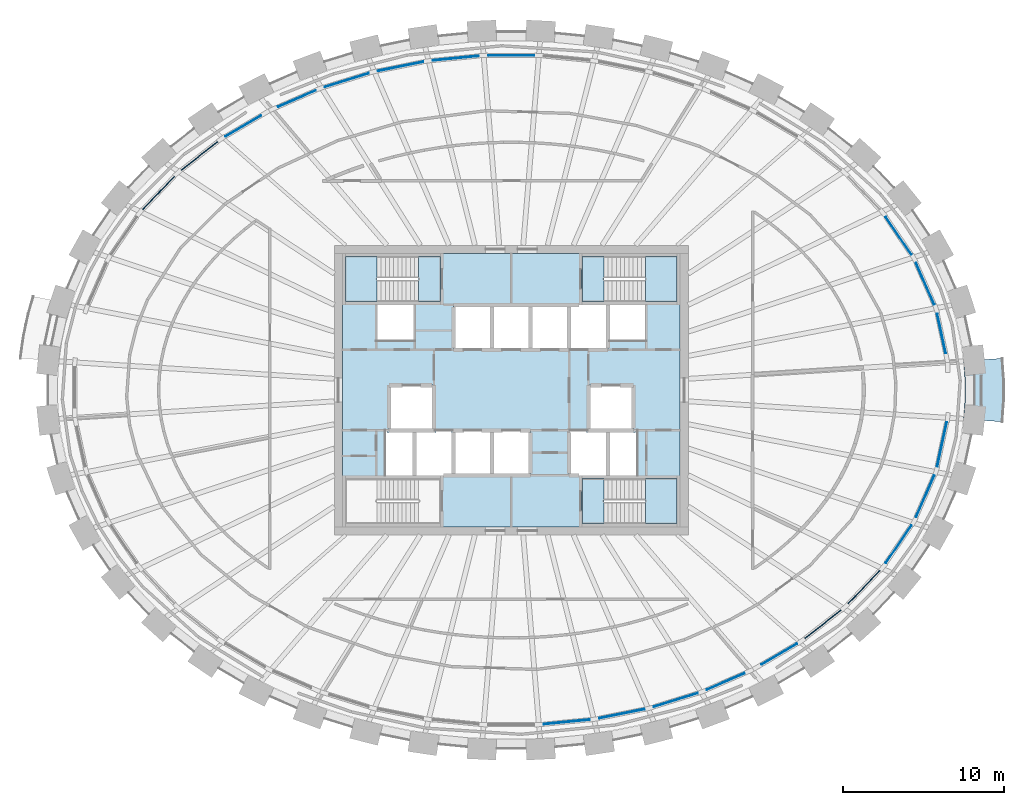
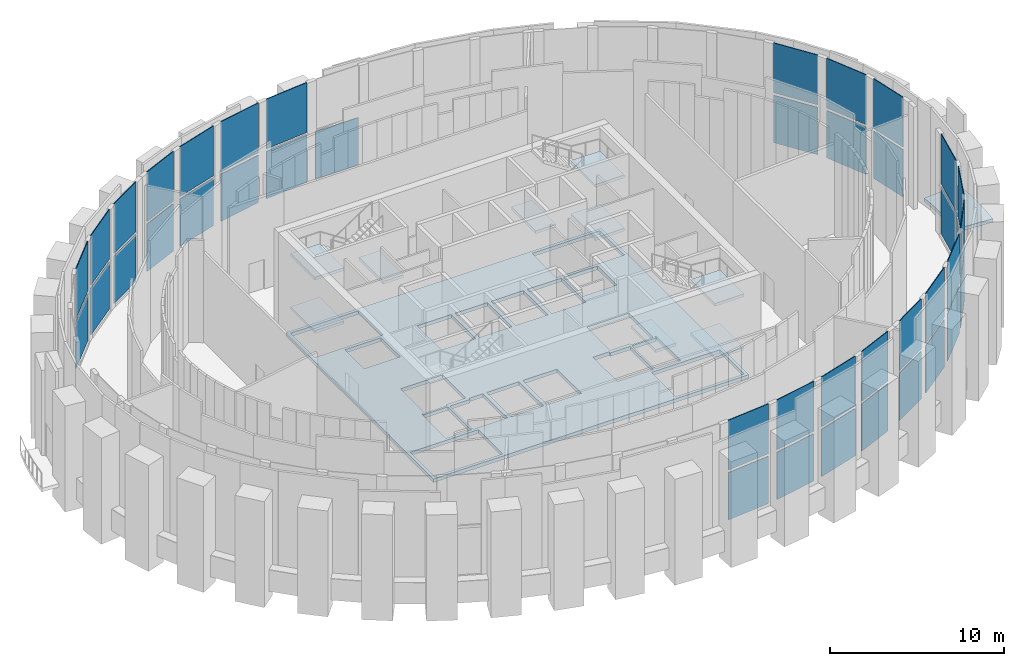
# One storey, part 6 of 16: 41 plates, 11 slabs, 8 elements without a shape of their own.
"""IFC4 building model written with IfcOpenShell, lengths in metres."""

from ifc_helpers import new_model, si_unit, direction, frame, origin, origin_2d, place, context, subcontext, project, spatial, polyline, rectangle, outline, extrude, source, transform, mapped, material, layer, layer_set, type_object, element, aggregate, save


model = new_model("IFC4")

# Units and contexts
model_context = context("Model", 3, precision=1e-05, world=origin(), true_north=direction((0.0, 1.0)))
body_context = subcontext(model_context, "Body", "Model", "MODEL_VIEW")
ifc_project = project(units=[si_unit("LENGTHUNIT", "METRE"), si_unit("AREAUNIT", "SQUARE_METRE"), si_unit("VOLUMEUNIT", "CUBIC_METRE"), si_unit("PLANEANGLEUNIT", "RADIAN"), si_unit("MASSUNIT", "GRAM", prefix="KILO")], contexts=[model_context])

# Site, building, storey
site_placement = place(None, origin())
site = spatial("IfcSite", under=ifc_project, at=site_placement, CompositionType="ELEMENT")
building_placement = place(site_placement, origin())
building = spatial("IfcBuilding", under=site, at=building_placement, Name="Embergate Tower", CompositionType="ELEMENT")
storey_placement = place(building_placement, frame((0.0, 0.0, 332.5)))
storey = spatial("IfcBuildingStorey", under=building, at=storey_placement, Name="L78", CompositionType="ELEMENT", Elevation=332.5)

# Curtain wall, plates
ifc_material_1 = material(Name="Aluminium and glass", Category="aluminium")
curtain_wall_type = type_object("IfcCurtainWallType", Name="Observation glazing", PredefinedType="NOTDEFINED", material=ifc_material_1)
curtain_wall_1_placement = place(storey_placement, origin())
curtain_wall_1 = element("IfcCurtainWall", 1, at=curtain_wall_1_placement, inside=storey, type_object=curtain_wall_type, Name="Observation glazing run 1", ObjectType="OBSERVATION GLAZING", PredefinedType="USERDEFINED")
ifc_material_2 = material(Name="Triple glazing, low-emissivity coating", Category="glass")
ifc_layer_1 = layer(ifc_material_2, 0.050048828125)
ifc_layer_set_1 = layer_set([ifc_layer_1], Name="Triple glazing, low-emissivity coating")
plate_type = type_object("IfcPlateType", Name="Observation glazing unit", PredefinedType="CURTAIN_PANEL", material=ifc_layer_set_1)
shared_shape_1 = source(origin(), body_context, "Body", "SweptSolid", [
    extrude(rectangle(XDim=2.511474609375, YDim=0.050048828125, at=origin_2d()), origin(), (0.0, 0.0, 1.0), 3.330078125),
])
plate_1_placement = place(storey_placement, frame((26.734130859375, 3.5185546875, 0.179931640625), z_axis=(0.0, 0.0, 1.0), x_axis=(-0.210406922475, 0.97761389463, 0.0)))
plate_1 = element("IfcPlate", 2, at=plate_1_placement, type_object=plate_type, Name="CW panel 1.1", PredefinedType="CURTAIN_PANEL", context=body_context, shape_type="MappedRepresentation", body=[
    mapped(shared_shape_1, transform((0.0, 0.0, 0.0))),
])
shared_shape_2 = source(origin(), body_context, "Body", "SweptSolid", [
    extrude(rectangle(XDim=2.511474609375, YDim=0.050048828125, at=origin_2d()), origin(), (0.0, 0.0, 1.0), 3.510009765625),
])
plate_2_placement = place(storey_placement, frame((26.734130859375, 3.5185546875, 3.68994140625), z_axis=(0.0, 0.0, 1.0), x_axis=(-0.210406922475, 0.97761389463, 0.0)))
plate_2 = element("IfcPlate", 3, at=plate_2_placement, type_object=plate_type, Name="CW panel 1.2", PredefinedType="CURTAIN_PANEL", context=body_context, shape_type="MappedRepresentation", body=[
    mapped(shared_shape_2, transform((0.0, 0.0, 0.0))),
])
shared_shape_3 = source(origin(), body_context, "Body", "SweptSolid", [
    extrude(rectangle(XDim=2.818603515625, YDim=0.050048828125, at=origin_2d()), origin(), (0.0, 0.0, 1.0), 3.330078125),
])
plate_3_placement = place(storey_placement, frame((25.72021484375, 6.604736328125, 0.179931640625), z_axis=(0.0, 0.0, 1.0), x_axis=(-0.401664887991, 0.91578672067, 0.0)))
plate_3 = element("IfcPlate", 4, at=plate_3_placement, type_object=plate_type, Name="CW panel 2.1", PredefinedType="CURTAIN_PANEL", context=body_context, shape_type="MappedRepresentation", body=[
    mapped(shared_shape_3, transform((0.0, 0.0, 0.0))),
])

# Curtain wall, plate
curtain_wall_2_placement = place(storey_placement, origin())
curtain_wall_2 = element("IfcCurtainWall", 5, at=curtain_wall_2_placement, inside=storey, type_object=curtain_wall_type, Name="Observation glazing run 6", ObjectType="OBSERVATION GLAZING", PredefinedType="USERDEFINED")
plate_4_placement = place(storey_placement, frame((25.72021484375, -6.604736328125, 0.179931640625), z_axis=(0.0, 0.0, 1.0), x_axis=(0.401664887991, 0.91578672067, 0.0)))
plate_4 = element("IfcPlate", 6, at=plate_4_placement, type_object=plate_type, Name="CW panel 5.1", PredefinedType="CURTAIN_PANEL", context=body_context, shape_type="MappedRepresentation", body=[
    mapped(shared_shape_3, transform((0.0, 0.0, 0.0))),
])

# Plate
shared_shape_4 = source(origin(), body_context, "Body", "SweptSolid", [
    extrude(rectangle(XDim=2.818603515625, YDim=0.050048828125, at=origin_2d()), origin(), (0.0, 0.0, 1.0), 3.510009765625),
])
plate_5_placement = place(storey_placement, frame((25.72021484375, 6.604736328125, 3.68994140625), z_axis=(0.0, 0.0, 1.0), x_axis=(-0.401664887991, 0.91578672067, 0.0)))
plate_5 = element("IfcPlate", 7, at=plate_5_placement, type_object=plate_type, Name="CW panel 2.2", PredefinedType="CURTAIN_PANEL", context=body_context, shape_type="MappedRepresentation", body=[
    mapped(shared_shape_4, transform((0.0, 0.0, 0.0))),
])

plate_6_placement = place(storey_placement, frame((25.72021484375, -6.604736328125, 3.68994140625), z_axis=(0.0, 0.0, 1.0), x_axis=(0.401664887991, 0.91578672067, 0.0)))
plate_6 = element("IfcPlate", 8, at=plate_6_placement, type_object=plate_type, Name="CW panel 5.2", PredefinedType="CURTAIN_PANEL", context=body_context, shape_type="MappedRepresentation", body=[
    mapped(shared_shape_4, transform((0.0, 0.0, 0.0))),
])

shared_shape_5 = source(origin(), body_context, "Body", "SweptSolid", [
    extrude(rectangle(XDim=2.827880859375, YDim=0.050048828125, at=origin_2d()), origin(), (0.0, 0.0, 1.0), 3.330078125),
])
plate_7_placement = place(storey_placement, frame((24.06982421875, 9.58740234375, 0.179931640625), z_axis=(0.0, 0.0, 1.0), x_axis=(-0.562353287631, 0.826897079382, 0.0)))
plate_7 = element("IfcPlate", 9, at=plate_7_placement, type_object=plate_type, Name="CW panel 3.1", PredefinedType="CURTAIN_PANEL", context=body_context, shape_type="MappedRepresentation", body=[
    mapped(shared_shape_5, transform((0.0, 0.0, 0.0))),
])

plate_8_placement = place(storey_placement, frame((24.06982421875, -9.58740234375, 0.179931640625), z_axis=(0.0, 0.0, 1.0), x_axis=(0.562353287631, 0.826897079382, 0.0)))
plate_8 = element("IfcPlate", 10, at=plate_8_placement, type_object=plate_type, Name="CW panel 4.1", PredefinedType="CURTAIN_PANEL", context=body_context, shape_type="MappedRepresentation", body=[
    mapped(shared_shape_5, transform((0.0, 0.0, 0.0))),
])

shared_shape_6 = source(origin(), body_context, "Body", "SweptSolid", [
    extrude(rectangle(XDim=2.827880859375, YDim=0.050048828125, at=origin_2d()), origin(), (0.0, 0.0, 1.0), 3.510009765625),
])
plate_9_placement = place(storey_placement, frame((24.06982421875, 9.58740234375, 3.68994140625), z_axis=(0.0, 0.0, 1.0), x_axis=(-0.562353287631, 0.826897079382, 0.0)))
plate_9 = element("IfcPlate", 11, at=plate_9_placement, type_object=plate_type, Name="CW panel 3.2", PredefinedType="CURTAIN_PANEL", context=body_context, shape_type="MappedRepresentation", body=[
    mapped(shared_shape_6, transform((0.0, 0.0, 0.0))),
])

aggregate(curtain_wall_1, [plate_1, plate_2, plate_3, plate_5, plate_7, plate_9])

plate_10_placement = place(storey_placement, frame((24.06982421875, -9.58740234375, 3.68994140625), z_axis=(0.0, 0.0, 1.0), x_axis=(0.562353287631, 0.826897079382, 0.0)))
plate_10 = element("IfcPlate", 12, at=plate_10_placement, type_object=plate_type, Name="CW panel 4.2", PredefinedType="CURTAIN_PANEL", context=body_context, shape_type="MappedRepresentation", body=[
    mapped(shared_shape_6, transform((0.0, 0.0, 0.0))),
])

# Curtain wall, plate
curtain_wall_3_placement = place(storey_placement, origin())
curtain_wall_3 = element("IfcCurtainWall", 13, at=curtain_wall_3_placement, inside=storey, type_object=curtain_wall_type, Name="Observation glazing run 3", ObjectType="OBSERVATION GLAZING", PredefinedType="USERDEFINED")
shared_shape_7 = source(origin(), body_context, "Body", "SweptSolid", [
    extrude(rectangle(XDim=2.837158203125, YDim=0.050048828125, at=origin_2d()), origin(), (0.0, 0.0, 1.0), 3.330078125),
])
plate_11_placement = place(storey_placement, frame((-21.919921875, 12.248291015625, 0.179931640625), z_axis=(0.0, 0.0, 1.0), x_axis=(-0.690142625854, -0.723673376586, 0.0)))
plate_11 = element("IfcPlate", 14, at=plate_11_placement, type_object=plate_type, Name="CW panel 3.1", PredefinedType="CURTAIN_PANEL", context=body_context, shape_type="MappedRepresentation", body=[
    mapped(shared_shape_7, transform((0.0, 0.0, 0.0))),
])

# Plate
plate_12_placement = place(storey_placement, frame((21.919921875, -12.248291015625, 0.179931640625), z_axis=(0.0, 0.0, 1.0), x_axis=(0.690142625854, 0.723673376586, 0.0)))
plate_12 = element("IfcPlate", 15, at=plate_12_placement, type_object=plate_type, Name="CW panel 3.1", PredefinedType="CURTAIN_PANEL", context=body_context, shape_type="MappedRepresentation", body=[
    mapped(shared_shape_7, transform((0.0, 0.0, 0.0))),
])

shared_shape_8 = source(origin(), body_context, "Body", "SweptSolid", [
    extrude(rectangle(XDim=2.837158203125, YDim=0.050048828125, at=origin_2d()), origin(), (0.0, 0.0, 1.0), 3.510009765625),
])
plate_13_placement = place(storey_placement, frame((-21.919921875, 12.248291015625, 3.68994140625), z_axis=(0.0, 0.0, 1.0), x_axis=(-0.690142625854, -0.723673376586, 0.0)))
plate_13 = element("IfcPlate", 16, at=plate_13_placement, type_object=plate_type, Name="CW panel 3.2", PredefinedType="CURTAIN_PANEL", context=body_context, shape_type="MappedRepresentation", body=[
    mapped(shared_shape_8, transform((0.0, 0.0, 0.0))),
])

plate_14_placement = place(storey_placement, frame((21.919921875, -12.248291015625, 3.68994140625), z_axis=(0.0, 0.0, 1.0), x_axis=(0.690142625854, 0.723673376586, 0.0)))
plate_14 = element("IfcPlate", 17, at=plate_14_placement, type_object=plate_type, Name="CW panel 3.2", PredefinedType="CURTAIN_PANEL", context=body_context, shape_type="MappedRepresentation", body=[
    mapped(shared_shape_8, transform((0.0, 0.0, 0.0))),
])

shared_shape_9 = source(origin(), body_context, "Body", "SweptSolid", [
    extrude(rectangle(XDim=2.844970703125, YDim=0.050048828125, at=origin_2d()), origin(), (0.0, 0.0, 1.0), 3.330078125),
])
plate_15_placement = place(storey_placement, frame((-19.3759765625, 14.552001953125, 0.179931640625), z_axis=(0.0, 0.0, 1.0), x_axis=(-0.788325488427, -0.615258420744, 0.0)))
plate_15 = element("IfcPlate", 18, at=plate_15_placement, type_object=plate_type, Name="CW panel 2.1", PredefinedType="CURTAIN_PANEL", context=body_context, shape_type="MappedRepresentation", body=[
    mapped(shared_shape_9, transform((0.0, 0.0, 0.0))),
])

plate_16_placement = place(storey_placement, frame((19.3759765625, -14.552001953125, 0.179931640625), z_axis=(0.0, 0.0, 1.0), x_axis=(0.788325488427, 0.615258420744, 0.0)))
plate_16 = element("IfcPlate", 19, at=plate_16_placement, type_object=plate_type, Name="CW panel 2.1", PredefinedType="CURTAIN_PANEL", context=body_context, shape_type="MappedRepresentation", body=[
    mapped(shared_shape_9, transform((0.0, 0.0, 0.0))),
])

shared_shape_10 = source(origin(), body_context, "Body", "SweptSolid", [
    extrude(rectangle(XDim=2.844970703125, YDim=0.050048828125, at=origin_2d()), origin(), (0.0, 0.0, 1.0), 3.510009765625),
])
plate_17_placement = place(storey_placement, frame((-19.3759765625, 14.552001953125, 3.68994140625), z_axis=(0.0, 0.0, 1.0), x_axis=(-0.788325488427, -0.615258420744, 0.0)))
plate_17 = element("IfcPlate", 20, at=plate_17_placement, type_object=plate_type, Name="CW panel 2.2", PredefinedType="CURTAIN_PANEL", context=body_context, shape_type="MappedRepresentation", body=[
    mapped(shared_shape_10, transform((0.0, 0.0, 0.0))),
])

plate_18_placement = place(storey_placement, frame((19.3759765625, -14.552001953125, 3.68994140625), z_axis=(0.0, 0.0, 1.0), x_axis=(0.788325488427, 0.615258420744, 0.0)))
plate_18 = element("IfcPlate", 21, at=plate_18_placement, type_object=plate_type, Name="CW panel 2.2", PredefinedType="CURTAIN_PANEL", context=body_context, shape_type="MappedRepresentation", body=[
    mapped(shared_shape_10, transform((0.0, 0.0, 0.0))),
])

# Curtain wall, plate
curtain_wall_4_placement = place(storey_placement, origin())
curtain_wall_4 = element("IfcCurtainWall", 22, at=curtain_wall_4_placement, inside=storey, type_object=curtain_wall_type, Name="Observation glazing run 2", ObjectType="OBSERVATION GLAZING", PredefinedType="USERDEFINED")
shared_shape_11 = source(origin(), body_context, "Body", "SweptSolid", [
    extrude(rectangle(XDim=2.55615234375, YDim=0.050048828125, at=origin_2d()), origin(), (0.0, 0.0, 1.0), 3.330078125),
])
plate_19_placement = place(storey_placement, frame((-13.322265625, 18.11328125, 0.179931640625), z_axis=(0.0, 0.0, 1.0), x_axis=(-0.916238309467, -0.400633698365, 0.0)))
plate_19 = element("IfcPlate", 23, at=plate_19_placement, type_object=plate_type, Name="CW panel 8.1", PredefinedType="CURTAIN_PANEL", context=body_context, shape_type="MappedRepresentation", body=[
    mapped(shared_shape_11, transform((0.0, 0.0, 0.0))),
])

curtain_wall_5_placement = place(storey_placement, origin())
curtain_wall_5 = element("IfcCurtainWall", 24, at=curtain_wall_5_placement, inside=storey, type_object=curtain_wall_type, Name="Observation glazing run 5", ObjectType="OBSERVATION GLAZING", PredefinedType="USERDEFINED")
plate_20_placement = place(storey_placement, frame((13.322265625, -18.11328125, 0.179931640625), z_axis=(0.0, 0.0, 1.0), x_axis=(0.916238309467, 0.400633698365, 0.0)))
plate_20 = element("IfcPlate", 25, at=plate_20_placement, type_object=plate_type, Name="CW panel 8.1", PredefinedType="CURTAIN_PANEL", context=body_context, shape_type="MappedRepresentation", body=[
    mapped(shared_shape_11, transform((0.0, 0.0, 0.0))),
])

# Plate
shared_shape_12 = source(origin(), body_context, "Body", "SweptSolid", [
    extrude(rectangle(XDim=2.55615234375, YDim=0.050048828125, at=origin_2d()), origin(), (0.0, 0.0, 1.0), 3.510009765625),
])
plate_21_placement = place(storey_placement, frame((-13.322265625, 18.11328125, 3.68994140625), z_axis=(0.0, 0.0, 1.0), x_axis=(-0.916238309467, -0.400633698365, 0.0)))
plate_21 = element("IfcPlate", 26, at=plate_21_placement, type_object=plate_type, Name="CW panel 8.2", PredefinedType="CURTAIN_PANEL", context=body_context, shape_type="MappedRepresentation", body=[
    mapped(shared_shape_12, transform((0.0, 0.0, 0.0))),
])

plate_22_placement = place(storey_placement, frame((13.322265625, -18.11328125, 3.68994140625), z_axis=(0.0, 0.0, 1.0), x_axis=(0.916238309467, 0.400633698365, 0.0)))
plate_22 = element("IfcPlate", 27, at=plate_22_placement, type_object=plate_type, Name="CW panel 8.2", PredefinedType="CURTAIN_PANEL", context=body_context, shape_type="MappedRepresentation", body=[
    mapped(shared_shape_12, transform((0.0, 0.0, 0.0))),
])

shared_shape_13 = source(origin(), body_context, "Body", "SweptSolid", [
    extrude(rectangle(XDim=2.862060546875, YDim=0.050048828125, at=origin_2d()), origin(), (0.0, 0.0, 1.0), 3.330078125),
])
plate_23_placement = place(storey_placement, frame((-6.8759765625, 20.114501953125, 0.179931640625), z_axis=(0.0, 0.0, 1.0), x_axis=(-0.980476250608, -0.196637539636, 0.0)))
plate_23 = element("IfcPlate", 28, at=plate_23_placement, type_object=plate_type, Name="CW panel 6.1", PredefinedType="CURTAIN_PANEL", context=body_context, shape_type="MappedRepresentation", body=[
    mapped(shared_shape_13, transform((0.0, 0.0, 0.0))),
])

plate_24_placement = place(storey_placement, frame((6.8759765625, -20.114501953125, 0.179931640625), z_axis=(0.0, 0.0, 1.0), x_axis=(0.980476250608, 0.196637539636, 0.0)))
plate_24 = element("IfcPlate", 29, at=plate_24_placement, type_object=plate_type, Name="CW panel 6.1", PredefinedType="CURTAIN_PANEL", context=body_context, shape_type="MappedRepresentation", body=[
    mapped(shared_shape_13, transform((0.0, 0.0, 0.0))),
])

shared_shape_14 = source(origin(), body_context, "Body", "SweptSolid", [
    extrude(rectangle(XDim=2.862060546875, YDim=0.050048828125, at=origin_2d()), origin(), (0.0, 0.0, 1.0), 3.510009765625),
])
plate_25_placement = place(storey_placement, frame((-6.8759765625, 20.114501953125, 3.68994140625), z_axis=(0.0, 0.0, 1.0), x_axis=(-0.980476250608, -0.196637539636, 0.0)))
plate_25 = element("IfcPlate", 30, at=plate_25_placement, type_object=plate_type, Name="CW panel 6.2", PredefinedType="CURTAIN_PANEL", context=body_context, shape_type="MappedRepresentation", body=[
    mapped(shared_shape_14, transform((0.0, 0.0, 0.0))),
])

plate_26_placement = place(storey_placement, frame((6.8759765625, -20.114501953125, 3.68994140625), z_axis=(0.0, 0.0, 1.0), x_axis=(0.980476250608, 0.196637539636, 0.0)))
plate_26 = element("IfcPlate", 31, at=plate_26_placement, type_object=plate_type, Name="CW panel 6.2", PredefinedType="CURTAIN_PANEL", context=body_context, shape_type="MappedRepresentation", body=[
    mapped(shared_shape_14, transform((0.0, 0.0, 0.0))),
])

shared_shape_15 = source(origin(), body_context, "Body", "SweptSolid", [
    extrude(rectangle(XDim=2.86328125, YDim=0.050048828125, at=origin_2d()), origin(), (0.0, 0.0, 1.0), 3.330078125),
])
plate_27_placement = place(storey_placement, frame((-3.455322265625, 20.624267578125, 0.179931640625), z_axis=(0.0, 0.0, 1.0), x_axis=(-0.995203355531, -0.09782781373, 0.0)))
plate_27 = element("IfcPlate", 32, at=plate_27_placement, type_object=plate_type, Name="CW panel 5.1", PredefinedType="CURTAIN_PANEL", context=body_context, shape_type="MappedRepresentation", body=[
    mapped(shared_shape_15, transform((0.0, 0.0, 0.0))),
])

plate_28_placement = place(storey_placement, frame((3.455322265625, -20.624267578125, 0.179931640625), z_axis=(0.0, 0.0, 1.0), x_axis=(0.995203355531, 0.09782781373, 0.0)))
plate_28 = element("IfcPlate", 33, at=plate_28_placement, type_object=plate_type, Name="CW panel 5.1", PredefinedType="CURTAIN_PANEL", context=body_context, shape_type="MappedRepresentation", body=[
    mapped(shared_shape_15, transform((0.0, 0.0, 0.0))),
])

shared_shape_16 = source(origin(), body_context, "Body", "SweptSolid", [
    extrude(rectangle(XDim=2.86328125, YDim=0.050048828125, at=origin_2d()), origin(), (0.0, 0.0, 1.0), 3.510009765625),
])
plate_29_placement = place(storey_placement, frame((-3.455322265625, 20.624267578125, 3.68994140625), z_axis=(0.0, 0.0, 1.0), x_axis=(-0.995203355531, -0.09782781373, 0.0)))
plate_29 = element("IfcPlate", 34, at=plate_29_placement, type_object=plate_type, Name="CW panel 5.2", PredefinedType="CURTAIN_PANEL", context=body_context, shape_type="MappedRepresentation", body=[
    mapped(shared_shape_16, transform((0.0, 0.0, 0.0))),
])

plate_30_placement = place(storey_placement, frame((3.455322265625, -20.624267578125, 3.68994140625), z_axis=(0.0, 0.0, 1.0), x_axis=(0.995203355531, 0.09782781373, 0.0)))
plate_30 = element("IfcPlate", 35, at=plate_30_placement, type_object=plate_type, Name="CW panel 5.2", PredefinedType="CURTAIN_PANEL", context=body_context, shape_type="MappedRepresentation", body=[
    mapped(shared_shape_16, transform((0.0, 0.0, 0.0))),
])

shared_shape_17 = source(origin(), body_context, "Body", "SweptSolid", [
    extrude(rectangle(XDim=2.86376953125, YDim=0.050048828125, at=origin_2d()), origin(), (0.0, 0.0, 1.0), 3.330078125),
])
plate_31_placement = place(storey_placement, frame((0.0, 20.793701171875, 0.179931640625), z_axis=(0.0, 0.0, 1.0), x_axis=(-1.0, 0.0, 0.0)))
plate_31 = element("IfcPlate", 36, at=plate_31_placement, type_object=plate_type, Name="CW panel 4.1", PredefinedType="CURTAIN_PANEL", context=body_context, shape_type="MappedRepresentation", body=[
    mapped(shared_shape_17, transform((0.0, 0.0, 0.0))),
])

shared_shape_18 = source(origin(), body_context, "Body", "SweptSolid", [
    extrude(rectangle(XDim=2.859619140625, YDim=0.050048828125, at=origin_2d()), origin(), (0.0, 0.0, 1.0), 3.330078125),
])
plate_32_placement = place(storey_placement, frame((-10.224609375, 19.259765625, 0.179931640625), z_axis=(0.0, 0.0, 1.0), x_axis=(-0.954773255075, -0.29733488089, 0.0)))
plate_32 = element("IfcPlate", 37, at=plate_32_placement, type_object=plate_type, Name="CW panel 7.1", PredefinedType="CURTAIN_PANEL", context=body_context, shape_type="MappedRepresentation", body=[
    mapped(shared_shape_18, transform((0.0, 0.0, 0.0))),
])

plate_33_placement = place(storey_placement, frame((10.224609375, -19.259765625, 0.179931640625), z_axis=(0.0, 0.0, 1.0), x_axis=(0.954773255075, 0.29733488089, 0.0)))
plate_33 = element("IfcPlate", 38, at=plate_33_placement, type_object=plate_type, Name="CW panel 7.1", PredefinedType="CURTAIN_PANEL", context=body_context, shape_type="MappedRepresentation", body=[
    mapped(shared_shape_18, transform((0.0, 0.0, 0.0))),
])

shared_shape_19 = source(origin(), body_context, "Body", "SweptSolid", [
    extrude(rectangle(XDim=2.859619140625, YDim=0.050048828125, at=origin_2d()), origin(), (0.0, 0.0, 1.0), 3.510009765625),
])
plate_34_placement = place(storey_placement, frame((-10.224609375, 19.259765625, 3.68994140625), z_axis=(0.0, 0.0, 1.0), x_axis=(-0.954773255075, -0.29733488089, 0.0)))
plate_34 = element("IfcPlate", 39, at=plate_34_placement, type_object=plate_type, Name="CW panel 7.2", PredefinedType="CURTAIN_PANEL", context=body_context, shape_type="MappedRepresentation", body=[
    mapped(shared_shape_19, transform((0.0, 0.0, 0.0))),
])

aggregate(curtain_wall_4, [plate_31, plate_27, plate_29, plate_23, plate_25, plate_32, plate_34, plate_19, plate_21])

plate_35_placement = place(storey_placement, frame((10.224609375, -19.259765625, 3.68994140625), z_axis=(0.0, 0.0, 1.0), x_axis=(0.954773255075, 0.29733488089, 0.0)))
plate_35 = element("IfcPlate", 40, at=plate_35_placement, type_object=plate_type, Name="CW panel 7.2", PredefinedType="CURTAIN_PANEL", context=body_context, shape_type="MappedRepresentation", body=[
    mapped(shared_shape_19, transform((0.0, 0.0, 0.0))),
])

aggregate(curtain_wall_5, [plate_28, plate_30, plate_24, plate_26, plate_33, plate_35, plate_20, plate_22])

shared_shape_20 = source(origin(), body_context, "Body", "SweptSolid", [
    extrude(rectangle(XDim=2.55126953125, YDim=0.050048828125, at=origin_2d()), origin(), (0.0, 0.0, 1.0), 3.330078125),
])
plate_36_placement = place(storey_placement, frame((-16.659912109375, 16.41015625, 0.179931640625), z_axis=(0.0, 0.0, 1.0), x_axis=(-0.862056706047, -0.506811834471, 0.0)))
plate_36 = element("IfcPlate", 41, at=plate_36_placement, type_object=plate_type, Name="CW panel 1.1", PredefinedType="CURTAIN_PANEL", context=body_context, shape_type="MappedRepresentation", body=[
    mapped(shared_shape_20, transform((0.0, 0.0, 0.0))),
])

plate_37_placement = place(storey_placement, frame((16.659912109375, -16.41015625, 0.179931640625), z_axis=(0.0, 0.0, 1.0), x_axis=(0.862056706047, 0.506811834471, 0.0)))
plate_37 = element("IfcPlate", 42, at=plate_37_placement, type_object=plate_type, Name="CW panel 1.1", PredefinedType="CURTAIN_PANEL", context=body_context, shape_type="MappedRepresentation", body=[
    mapped(shared_shape_20, transform((0.0, 0.0, 0.0))),
])

shared_shape_21 = source(origin(), body_context, "Body", "SweptSolid", [
    extrude(rectangle(XDim=2.55126953125, YDim=0.050048828125, at=origin_2d()), origin(), (0.0, 0.0, 1.0), 3.510009765625),
])
plate_38_placement = place(storey_placement, frame((-16.659912109375, 16.41015625, 3.68994140625), z_axis=(0.0, 0.0, 1.0), x_axis=(-0.862056706047, -0.506811834471, 0.0)))
plate_38 = element("IfcPlate", 43, at=plate_38_placement, type_object=plate_type, Name="CW panel 1.2", PredefinedType="CURTAIN_PANEL", context=body_context, shape_type="MappedRepresentation", body=[
    mapped(shared_shape_21, transform((0.0, 0.0, 0.0))),
])

aggregate(curtain_wall_3, [plate_36, plate_38, plate_15, plate_17, plate_11, plate_13])

plate_39_placement = place(storey_placement, frame((16.659912109375, -16.41015625, 3.68994140625), z_axis=(0.0, 0.0, 1.0), x_axis=(0.862056706047, 0.506811834471, 0.0)))
plate_39 = element("IfcPlate", 44, at=plate_39_placement, type_object=plate_type, Name="CW panel 1.2", PredefinedType="CURTAIN_PANEL", context=body_context, shape_type="MappedRepresentation", body=[
    mapped(shared_shape_21, transform((0.0, 0.0, 0.0))),
])

shared_shape_22 = source(origin(), body_context, "Body", "SweptSolid", [
    extrude(rectangle(XDim=2.8115234375, YDim=0.050048828125, at=origin_2d()), origin(), (0.0, 0.0, 1.0), 3.330078125),
])
plate_40_placement = place(storey_placement, frame((26.765869140625, -3.371826171875, 0.179931640625), z_axis=(0.0, 0.0, 1.0), x_axis=(0.210406922475, 0.97761389463, 0.0)))
plate_40 = element("IfcPlate", 45, at=plate_40_placement, type_object=plate_type, Name="CW panel 6.1", PredefinedType="CURTAIN_PANEL", context=body_context, shape_type="MappedRepresentation", body=[
    mapped(shared_shape_22, transform((0.0, 0.0, 0.0))),
])

shared_shape_23 = source(origin(), body_context, "Body", "SweptSolid", [
    extrude(rectangle(XDim=2.8115234375, YDim=0.050048828125, at=origin_2d()), origin(), (0.0, 0.0, 1.0), 3.510009765625),
])
plate_41_placement = place(storey_placement, frame((26.765869140625, -3.371826171875, 3.68994140625), z_axis=(0.0, 0.0, 1.0), x_axis=(0.210406922475, 0.97761389463, 0.0)))
plate_41 = element("IfcPlate", 46, at=plate_41_placement, type_object=plate_type, Name="CW panel 6.2", PredefinedType="CURTAIN_PANEL", context=body_context, shape_type="MappedRepresentation", body=[
    mapped(shared_shape_23, transform((0.0, 0.0, 0.0))),
])

aggregate(curtain_wall_2, [plate_37, plate_39, plate_16, plate_18, plate_12, plate_14, plate_8, plate_10, plate_4, plate_6, plate_40, plate_41])

# Stair, slab
ifc_material_3 = material(Name="Exit stair")
stair_type = type_object("IfcStairType", Name="Exit stair", PredefinedType="HALF_TURN_STAIR", material=ifc_material_3)
stair_1_placement = place(storey_placement, origin())
stair_1 = element("IfcStair", 47, at=stair_1_placement, inside=storey, type_object=stair_type, Name="L78 Exit stair 1", PredefinedType="HALF_TURN_STAIR")
ifc_material_4 = material(Name="Concrete C40", Category="concrete")
ifc_layer_2 = layer(ifc_material_4, 0.199951171875)
ifc_layer_set_2 = layer_set([ifc_layer_2], Name="Concrete C40")
slab_type_1 = type_object("IfcSlabType", Name="Stair landing reinforced concrete", PredefinedType="LANDING", material=ifc_layer_set_2)
shared_shape_24 = source(origin(), body_context, "Body", "SweptSolid", [
    extrude(outline(polyline([(0.0, 0.0), (1.35009765625, 0.0), (1.35009765625, 2.800048828125), (0.0, 2.800048828125), (0.0, 0.0)])), origin(), (0.0, 0.0, 1.0), 0.199951171875),
])
slab_1_placement = place(storey_placement, frame((-5.75, 5.5, 3.550048828125)))
slab_1 = element("IfcSlab", 48, at=slab_1_placement, type_object=slab_type_1, Name="ST1 landing 2", PredefinedType="LANDING", context=body_context, shape_type="MappedRepresentation", body=[
    mapped(shared_shape_24, transform((0.0, 0.0, 0.0))),
])

stair_2_placement = place(storey_placement, origin())
stair_2 = element("IfcStair", 49, at=stair_2_placement, inside=storey, type_object=stair_type, Name="L78 Exit stair 2", PredefinedType="HALF_TURN_STAIR")
slab_2_placement = place(storey_placement, frame((4.39990234375, 5.5, 3.550048828125)))
slab_2 = element("IfcSlab", 50, at=slab_2_placement, type_object=slab_type_1, Name="ST2 landing 2", PredefinedType="LANDING", context=body_context, shape_type="MappedRepresentation", body=[
    mapped(shared_shape_24, transform((0.0, 0.0, 0.0))),
])

stair_3_placement = place(storey_placement, origin())
stair_3 = element("IfcStair", 51, at=stair_3_placement, inside=storey, type_object=stair_type, Name="L78 Exit stair 4", PredefinedType="HALF_TURN_STAIR")
slab_3_placement = place(storey_placement, frame((4.39990234375, -8.300048828125, 3.550048828125)))
slab_3 = element("IfcSlab", 52, at=slab_3_placement, type_object=slab_type_1, Name="ST4 landing 2", PredefinedType="LANDING", context=body_context, shape_type="MappedRepresentation", body=[
    mapped(shared_shape_24, transform((0.0, 0.0, 0.0))),
])

# Slab
shared_shape_25 = source(origin(), body_context, "Body", "SweptSolid", [
    extrude(outline(polyline([(0.0, 0.0), (1.949951171875, 0.0), (1.949951171875, 2.800048828125), (0.0, 2.800048828125), (0.0, 0.0)])), origin(), (0.0, 0.0, 1.0), 0.199951171875),
])
slab_4_placement = place(storey_placement, frame((-10.300048828125, 5.5, 1.675048828125)))
slab_4 = element("IfcSlab", 53, at=slab_4_placement, type_object=slab_type_1, Name="ST1 landing 1", PredefinedType="LANDING", context=body_context, shape_type="MappedRepresentation", body=[
    mapped(shared_shape_25, transform((0.0, 0.0, 0.0))),
])

slab_5_placement = place(storey_placement, frame((-10.300048828125, 5.5, 5.425048828125)))
slab_5 = element("IfcSlab", 54, at=slab_5_placement, type_object=slab_type_1, Name="ST1 landing 3", PredefinedType="LANDING", context=body_context, shape_type="MappedRepresentation", body=[
    mapped(shared_shape_25, transform((0.0, 0.0, 0.0))),
])

aggregate(stair_1, [slab_4, slab_1, slab_5])

slab_6_placement = place(storey_placement, frame((8.35009765625, 5.5, 1.675048828125)))
slab_6 = element("IfcSlab", 55, at=slab_6_placement, type_object=slab_type_1, Name="ST2 landing 1", PredefinedType="LANDING", context=body_context, shape_type="MappedRepresentation", body=[
    mapped(shared_shape_25, transform((0.0, 0.0, 0.0))),
])

slab_7_placement = place(storey_placement, frame((8.35009765625, 5.5, 5.425048828125)))
slab_7 = element("IfcSlab", 56, at=slab_7_placement, type_object=slab_type_1, Name="ST2 landing 3", PredefinedType="LANDING", context=body_context, shape_type="MappedRepresentation", body=[
    mapped(shared_shape_25, transform((0.0, 0.0, 0.0))),
])

aggregate(stair_2, [slab_6, slab_2, slab_7])

slab_8_placement = place(storey_placement, frame((8.35009765625, -8.300048828125, 1.675048828125)))
slab_8 = element("IfcSlab", 57, at=slab_8_placement, type_object=slab_type_1, Name="ST4 landing 1", PredefinedType="LANDING", context=body_context, shape_type="MappedRepresentation", body=[
    mapped(shared_shape_25, transform((0.0, 0.0, 0.0))),
])

slab_9_placement = place(storey_placement, frame((8.35009765625, -8.300048828125, 5.425048828125)))
slab_9 = element("IfcSlab", 58, at=slab_9_placement, type_object=slab_type_1, Name="ST4 landing 3", PredefinedType="LANDING", context=body_context, shape_type="MappedRepresentation", body=[
    mapped(shared_shape_25, transform((0.0, 0.0, 0.0))),
])

aggregate(stair_3, [slab_8, slab_3, slab_9])

# Slabs
ifc_layer_3 = layer(ifc_material_4, 0.25)
ifc_layer_set_3 = layer_set([ifc_layer_3], Name="Concrete C40")
slab_type_2 = type_object("IfcSlabType", Name="Core floor slab 250 reinforced concrete", PredefinedType="FLOOR", material=ifc_layer_set_3)
shared_shape_26 = source(origin(), body_context, "Body", "SweptSolid", [
    extrude(outline(polyline([(0.0, 0.0), (21.0, 0.0), (21.0, 17.0), (0.0, 17.0), (0.0, 0.0)]), holes=[polyline([(0.199951171875, 0.199951171875), (0.199951171875, 3.0), (4.739990234375, 3.0), (4.739990234375, 0.199951171875), (0.199951171875, 0.199951171875)]), polyline([(16.260009765625, 0.199951171875), (16.260009765625, 3.0), (20.800048828125, 3.0), (20.800048828125, 0.199951171875), (16.260009765625, 0.199951171875)]), polyline([(2.699951171875, 3.199951171875), (2.699951171875, 6.0), (2.77490234375, 6.0), (2.77490234375, 5.875), (4.375, 5.875), (4.375, 3.199951171875), (2.699951171875, 3.199951171875)]), polyline([(4.5, 3.199951171875), (4.5, 5.875), (5.824951171875, 5.875), (5.824951171875, 6.0), (6.77490234375, 6.0), (6.77490234375, 3.199951171875), (4.5, 3.199951171875)]), polyline([(7.02490234375, 3.199951171875), (7.02490234375, 6.0), (9.175048828125, 6.0), (9.175048828125, 3.199951171875), (7.02490234375, 3.199951171875)]), polyline([(9.425048828125, 3.199951171875), (9.425048828125, 6.0), (11.699951171875, 6.0), (11.699951171875, 3.199951171875), (9.425048828125, 3.199951171875)]), polyline([(14.10009765625, 3.199951171875), (14.10009765625, 6.0), (15.175048828125, 6.0), (15.175048828125, 5.875), (16.5, 5.875), (16.5, 3.199951171875), (14.10009765625, 3.199951171875)]), polyline([(16.625, 3.199951171875), (16.625, 5.875), (18.22509765625, 5.875), (18.22509765625, 6.0), (18.300048828125, 6.0), (18.300048828125, 3.199951171875), (16.625, 3.199951171875)]), polyline([(2.89990234375, 6.0), (2.89990234375, 8.800048828125), (5.699951171875, 8.800048828125), (5.699951171875, 6.125), (4.375, 6.125), (4.375, 6.0), (2.89990234375, 6.0)]), polyline([(16.625, 6.0), (16.625, 6.125), (15.300048828125, 6.125), (15.300048828125, 8.800048828125), (18.10009765625, 8.800048828125), (18.10009765625, 6.0), (16.625, 6.0)]), polyline([(6.89990234375, 11.0), (6.89990234375, 13.800048828125), (9.175048828125, 13.800048828125), (9.175048828125, 11.0), (6.89990234375, 11.0)]), polyline([(9.425048828125, 11.0), (9.425048828125, 13.800048828125), (11.574951171875, 13.800048828125), (11.574951171875, 11.0), (9.425048828125, 11.0)]), polyline([(11.824951171875, 11.0), (11.824951171875, 13.800048828125), (13.97509765625, 13.800048828125), (13.97509765625, 11.0), (11.824951171875, 11.0)]), polyline([(14.22509765625, 11.0), (14.22509765625, 13.800048828125), (16.5, 13.800048828125), (16.5, 11.0), (14.22509765625, 11.0)]), polyline([(2.10009765625, 11.60009765625), (2.10009765625, 13.800048828125), (4.5, 13.800048828125), (4.5, 11.60009765625), (2.10009765625, 11.60009765625)]), polyline([(16.625, 11.60009765625), (16.625, 13.800048828125), (18.89990234375, 13.800048828125), (18.89990234375, 11.60009765625), (16.625, 11.60009765625)]), polyline([(0.199951171875, 14.0), (0.199951171875, 16.800048828125), (4.739990234375, 16.800048828125), (4.739990234375, 14.0), (0.199951171875, 14.0)]), polyline([(16.260009765625, 14.0), (16.260009765625, 16.800048828125), (20.800048828125, 16.800048828125), (20.800048828125, 14.0), (16.260009765625, 14.0)])]), origin(), (0.0, 0.0, 1.0), 0.25),
])
slab_10_placement = place(storey_placement, frame((-10.5, -8.5, -0.25)))
element("IfcSlab", 59, at=slab_10_placement, inside=storey, type_object=slab_type_2, Name="Core floor slab", PredefinedType="FLOOR", context=body_context, shape_type="MappedRepresentation", body=[
    mapped(shared_shape_26, transform((0.0, 0.0, 0.0))),
])
ifc_layer_4 = layer(ifc_material_4, 0.25)
ifc_layer_set_4 = layer_set([ifc_layer_4], Name="Concrete C40")
slab_type_3 = type_object("IfcSlabType", Name="Terrace slab C40 250", PredefinedType="FLOOR", material=ifc_layer_set_4)
shared_shape_27 = source(origin(), body_context, "Body", "SweptSolid", [
    extrude(outline(polyline([(0.0, 0.0), (-2.39599609375, 0.155029296875), (-2.39208984375, 0.18212890625), (-2.30712890625, 1.3720703125), (-2.30712890625, 2.56396484375), (-2.39208984375, 3.75390625), (-2.39599609375, 3.781005859375), (0.0, 3.93603515625), (0.091796875, 2.64990234375), (0.091796875, 1.2861328125), (0.0, 0.0)])), origin(), (0.0, 0.0, 1.0), 0.25),
])
slab_11_placement = place(storey_placement, frame((30.506103515625, -1.968017578125, -0.25)))
element("IfcSlab", 60, at=slab_11_placement, inside=storey, type_object=slab_type_3, Name="Observation terrace E", PredefinedType="FLOOR", context=body_context, shape_type="MappedRepresentation", body=[
    mapped(shared_shape_27, transform((0.0, 0.0, 0.0))),
])

save(model, "model.ifc")
